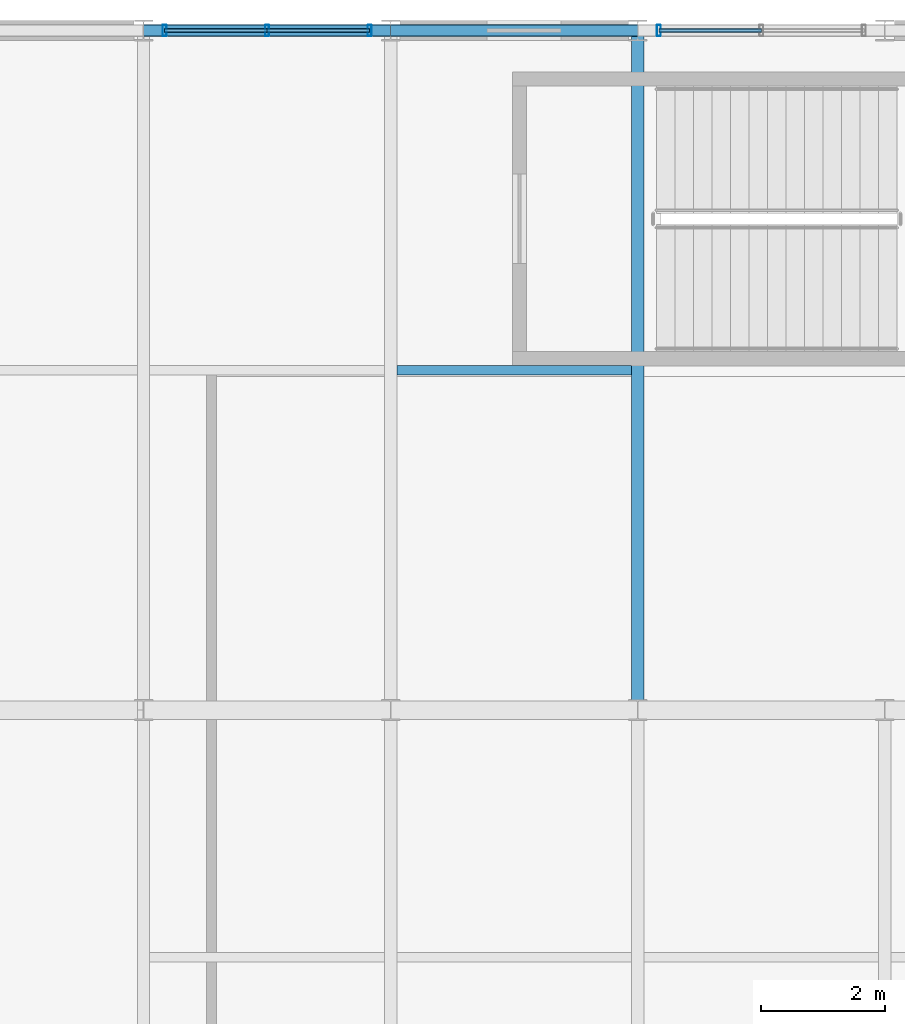
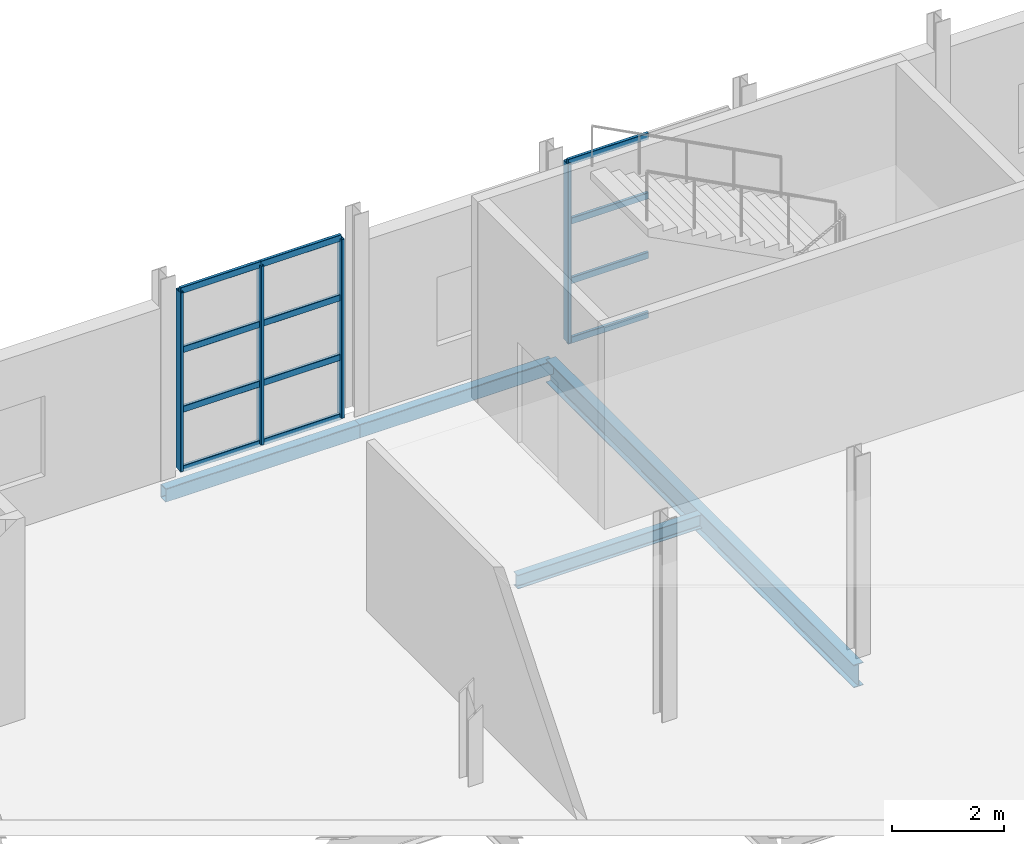
# One storey, part 101 of 153: 16 members, 4 beams, 2 elements without a shape of their own.
"""IFC4 building model written with IfcOpenShell, lengths in metres."""

from ifc_helpers import new_model, si_unit, derived_unit, direction, frame, origin, origin_2d, place, context, subcontext, project, spatial, hollow_rectangle, i_section, extrude, material, material_profile, profile_set, type_object, element, aggregate, save


model = new_model("IFC4")

# Units and contexts
model_context = context("Model", 3, precision=1e-05, world=origin(), true_north=direction((0.0, 1.0)))
body_context = subcontext(model_context, "Body", "Model", "MODEL_VIEW")
ifc_project = project(units=[si_unit("LENGTHUNIT", "METRE"), si_unit("AREAUNIT", "SQUARE_METRE"), si_unit("VOLUMEUNIT", "CUBIC_METRE"), si_unit("PLANEANGLEUNIT", "RADIAN"), si_unit("MASSUNIT", "GRAM", prefix="KILO"), derived_unit("THERMALTRANSMITTANCEUNIT", [(si_unit("POWERUNIT", "WATT"), 1), (si_unit("LENGTHUNIT", "METRE"), -2), (si_unit("THERMODYNAMICTEMPERATUREUNIT", "KELVIN"), -1)])], contexts=[model_context])

# Site, building, storey
site_placement = place(None, origin())
site = spatial("IfcSite", under=ifc_project, at=site_placement, CompositionType="ELEMENT")
building_placement = place(site_placement, origin())
building = spatial("IfcBuilding", under=site, at=building_placement, Name="Keldorne Ridge Multi-Sports Centre", CompositionType="ELEMENT")
storey_placement = place(building_placement, frame((0.0, 0.0, 9.60009765625)))
storey = spatial("IfcBuildingStorey", under=building, at=storey_placement, Name="L02", CompositionType="ELEMENT", Elevation=9.60009765625)

# Beams
ifc_material_1 = material(Name="Steel S355", Category="steel")
ifc_material_profile_1 = material_profile(ifc_material_1, i_section(OverallWidth=0.199951171875, OverallDepth=0.5, WebThickness=0.01025390625, FlangeThickness=0.01611328125, FilletRadius=0.02099609375, at=origin_2d()), Name="IPE 500")
ifc_profile_set_1 = profile_set([ifc_material_profile_1], Name="Steel S355")
beam_type_1 = type_object("IfcBeamType", Name="BM-B-02", PredefinedType="BEAM", material=ifc_profile_set_1)
beam_1_placement = place(storey_placement, frame((128.0, 106.0, -0.510009765625), z_axis=(0.0, 1.0, 0.0), x_axis=(-1.0, 0.0, 0.0)))
element("IfcBeam", 1, at=beam_1_placement, inside=storey, type_object=beam_type_1, Name="L02 primary girder 128.6", PredefinedType="BEAM", context=body_context, shape_type="SweptSolid", body=[
    extrude(i_section(OverallWidth=0.199951171875, OverallDepth=0.5, WebThickness=0.01025390625, FlangeThickness=0.01611328125, FilletRadius=0.02099609375, at=origin_2d()), origin(), (0.0, 0.0, 1.0), 11.0),
])
ifc_material_profile_2 = material_profile(ifc_material_1, i_section(OverallWidth=0.14990234375, OverallDepth=0.300048828125, WebThickness=0.007080078125, FlangeThickness=0.0107421875, FilletRadius=0.014892578125, at=origin_2d()), Name="IPE 300")
ifc_profile_set_2 = profile_set([ifc_material_profile_2], Name="Steel S355")
beam_type_2 = type_object("IfcBeamType", Name="BM-J-02", PredefinedType="JOIST", material=ifc_profile_set_2)
beam_2_placement = place(storey_placement, frame((124.10009765625, 111.5, -0.41015625), z_axis=(1.0, 0.0, 0.0), x_axis=(0.0, 1.0, 0.0)))
element("IfcBeam", 2, at=beam_2_placement, inside=storey, type_object=beam_type_2, Name="L02 secondary joist 4.6", PredefinedType="JOIST", context=body_context, shape_type="SweptSolid", body=[
    extrude(i_section(OverallWidth=0.14990234375, OverallDepth=0.300048828125, WebThickness=0.007080078125, FlangeThickness=0.0107421875, FilletRadius=0.014892578125, at=origin_2d()), origin(), (0.0, 0.0, 1.0), 3.7998046875),
])
ifc_material_profile_3 = material_profile(ifc_material_1, hollow_rectangle(XDim=0.199951171875, YDim=0.300048828125, WallThickness=0.012451171875, InnerFilletRadius=0.012451171875, OuterFilletRadius=0.02490234375, at=origin_2d()), Name="RHS 300x200x12.5")
ifc_profile_set_3 = profile_set([ifc_material_profile_3], Name="Steel S355")
beam_type_3 = type_object("IfcBeamType", Name="BM-SP-01", PredefinedType="SPANDREL", material=ifc_profile_set_3)
for number, where, z_axis, x_axis, name in (
    (3, (120.0, 117.0, -0.41015625), (1.0, 0.0, 0.0), (0.0, 1.0, 0.0), "L02 primary beam 3.117"),
    (4, (124.0, 117.0, -0.41015625), (1.0, 0.0, 0.0), (0.0, 1.0, 0.0), "L02 primary beam 4.117"),
):
    element("IfcBeam", number, at=place(storey_placement, frame(where, z_axis=z_axis, x_axis=x_axis)), inside=storey, type_object=beam_type_3, Name=name, PredefinedType="SPANDREL", context=body_context, shape_type="SweptSolid", body=[
        extrude(hollow_rectangle(XDim=0.199951171875, YDim=0.300048828125, WallThickness=0.012451171875, InnerFilletRadius=0.012451171875, OuterFilletRadius=0.02490234375, at=origin_2d()), origin(), (0.0, 0.0, 1.0), 4.0),
    ])

# Curtain wall, members
ifc_material_2 = material(Name="Anodized aluminium", Category="aluminium")
curtain_wall_type_1 = type_object("IfcCurtainWallType", Name="CW-CW-07", PredefinedType="NOTDEFINED", material=ifc_material_2)
curtain_wall_1_placement = place(storey_placement, origin())
curtain_wall_1 = element("IfcCurtainWall", 5, at=curtain_wall_1_placement, inside=storey, type_object=curtain_wall_type_1, Name="East Wing L02 north curtain wall 151", PredefinedType="NOTDEFINED")
ifc_material_profile_4 = material_profile(ifc_material_2, hollow_rectangle(XDim=0.06494140625, YDim=0.179931640625, WallThickness=0.00439453125, InnerFilletRadius=0.00439453125, OuterFilletRadius=0.009033203125, at=origin_2d()), Name="ALU MULLION 180x65x4.5")
ifc_profile_set_4 = profile_set([ifc_material_profile_4], Name="Anodized aluminium")
member_type_1 = type_object("IfcMemberType", Name="MEM-ML-01", PredefinedType="MULLION", material=ifc_profile_set_4)
member_1_placement = place(storey_placement, frame((123.659912109375, 117.0, 0.0), z_axis=(0.0, 0.0, 1.0), x_axis=(1.0, 0.0, 0.0)))
member_1 = element("IfcMember", 6, at=member_1_placement, type_object=member_type_1, Name="CW-151 vertical mullion 1", PredefinedType="MULLION", context=body_context, shape_type="SweptSolid", body=[
    extrude(hollow_rectangle(XDim=0.06494140625, YDim=0.179931640625, WallThickness=0.00439453125, InnerFilletRadius=0.00439453125, OuterFilletRadius=0.009033203125, at=origin_2d()), origin(), (0.0, 0.0, 1.0), 3.89990234375),
])
member_2_placement = place(storey_placement, frame((122.0, 117.0, 0.0), z_axis=(0.0, 0.0, 1.0), x_axis=(1.0, 0.0, 0.0)))
member_2 = element("IfcMember", 7, at=member_2_placement, type_object=member_type_1, Name="CW-151 vertical mullion 2", PredefinedType="MULLION", context=body_context, shape_type="SweptSolid", body=[
    extrude(hollow_rectangle(XDim=0.06494140625, YDim=0.179931640625, WallThickness=0.00439453125, InnerFilletRadius=0.00439453125, OuterFilletRadius=0.009033203125, at=origin_2d()), origin(), (0.0, 0.0, 1.0), 3.89990234375),
])
member_3_placement = place(storey_placement, frame((120.340087890625, 117.0, 0.0), z_axis=(0.0, 0.0, 1.0), x_axis=(1.0, 0.0, 0.0)))
member_3 = element("IfcMember", 8, at=member_3_placement, type_object=member_type_1, Name="CW-151 vertical mullion 3", PredefinedType="MULLION", context=body_context, shape_type="SweptSolid", body=[
    extrude(hollow_rectangle(XDim=0.06494140625, YDim=0.179931640625, WallThickness=0.00439453125, InnerFilletRadius=0.00439453125, OuterFilletRadius=0.009033203125, at=origin_2d()), origin(), (0.0, 0.0, 1.0), 3.89990234375),
])

# Curtain wall, member
curtain_wall_type_2 = type_object("IfcCurtainWallType", Name="CW-CW-08", PredefinedType="NOTDEFINED", material=ifc_material_2)
curtain_wall_2_placement = place(storey_placement, origin())
curtain_wall_2 = element("IfcCurtainWall", 9, at=curtain_wall_2_placement, inside=storey, type_object=curtain_wall_type_2, Name="East Wing L02 north curtain wall 152", PredefinedType="NOTDEFINED")
member_4_placement = place(storey_placement, frame((128.340087890625, 117.0, 0.0), z_axis=(0.0, 0.0, 1.0), x_axis=(1.0, 0.0, 0.0)))
member_4 = element("IfcMember", 10, at=member_4_placement, type_object=member_type_1, Name="CW-152 vertical mullion 3", PredefinedType="MULLION", context=body_context, shape_type="SweptSolid", body=[
    extrude(hollow_rectangle(XDim=0.06494140625, YDim=0.179931640625, WallThickness=0.00439453125, InnerFilletRadius=0.00439453125, OuterFilletRadius=0.009033203125, at=origin_2d()), origin(), (0.0, 0.0, 1.0), 3.89990234375),
])

# Member
ifc_material_profile_5 = material_profile(ifc_material_2, hollow_rectangle(XDim=0.06494140625, YDim=0.139892578125, WallThickness=0.00439453125, InnerFilletRadius=0.00439453125, OuterFilletRadius=0.009033203125, at=origin_2d()), Name="ALU TRANSOM 140x65x4.5")
ifc_profile_set_5 = profile_set([ifc_material_profile_5], Name="Anodized aluminium")
member_type_2 = type_object("IfcMemberType", Name="MEM-TR-01", PredefinedType="USERDEFINED", material=ifc_profile_set_5)
member_5_placement = place(storey_placement, frame((123.659912109375, 117.0, 0.0), z_axis=(-1.0, 0.0, 0.0), x_axis=(0.0, -1.0, 0.0)))
member_5 = element("IfcMember", 11, at=member_5_placement, type_object=member_type_2, Name="CW-151 transom 1.1", ObjectType="TRANSOM", PredefinedType="USERDEFINED", context=body_context, shape_type="SweptSolid", body=[
    extrude(hollow_rectangle(XDim=0.06494140625, YDim=0.139892578125, WallThickness=0.00439453125, InnerFilletRadius=0.00439453125, OuterFilletRadius=0.009033203125, at=origin_2d()), origin(), (0.0, 0.0, 1.0), 1.659912109375),
])

member_6_placement = place(storey_placement, frame((123.659912109375, 117.0, 1.2998046875), z_axis=(-1.0, 0.0, 0.0), x_axis=(0.0, -1.0, 0.0)))
member_6 = element("IfcMember", 12, at=member_6_placement, type_object=member_type_2, Name="CW-151 transom 1.2", ObjectType="TRANSOM", PredefinedType="USERDEFINED", context=body_context, shape_type="SweptSolid", body=[
    extrude(hollow_rectangle(XDim=0.06494140625, YDim=0.139892578125, WallThickness=0.00439453125, InnerFilletRadius=0.00439453125, OuterFilletRadius=0.009033203125, at=origin_2d()), origin(), (0.0, 0.0, 1.0), 1.659912109375),
])

member_7_placement = place(storey_placement, frame((123.659912109375, 117.0, 2.599853515625), z_axis=(-1.0, 0.0, 0.0), x_axis=(0.0, -1.0, 0.0)))
member_7 = element("IfcMember", 13, at=member_7_placement, type_object=member_type_2, Name="CW-151 transom 1.3", ObjectType="TRANSOM", PredefinedType="USERDEFINED", context=body_context, shape_type="SweptSolid", body=[
    extrude(hollow_rectangle(XDim=0.06494140625, YDim=0.139892578125, WallThickness=0.00439453125, InnerFilletRadius=0.00439453125, OuterFilletRadius=0.009033203125, at=origin_2d()), origin(), (0.0, 0.0, 1.0), 1.659912109375),
])

member_8_placement = place(storey_placement, frame((123.659912109375, 117.0, 3.89990234375), z_axis=(-1.0, 0.0, 0.0), x_axis=(0.0, -1.0, 0.0)))
member_8 = element("IfcMember", 14, at=member_8_placement, type_object=member_type_2, Name="CW-151 transom 1.4", ObjectType="TRANSOM", PredefinedType="USERDEFINED", context=body_context, shape_type="SweptSolid", body=[
    extrude(hollow_rectangle(XDim=0.06494140625, YDim=0.139892578125, WallThickness=0.00439453125, InnerFilletRadius=0.00439453125, OuterFilletRadius=0.009033203125, at=origin_2d()), origin(), (0.0, 0.0, 1.0), 1.659912109375),
])

member_9_placement = place(storey_placement, frame((122.0, 117.0, 0.0), z_axis=(-1.0, 0.0, 0.0), x_axis=(0.0, -1.0, 0.0)))
member_9 = element("IfcMember", 15, at=member_9_placement, type_object=member_type_2, Name="CW-151 transom 2.1", ObjectType="TRANSOM", PredefinedType="USERDEFINED", context=body_context, shape_type="SweptSolid", body=[
    extrude(hollow_rectangle(XDim=0.06494140625, YDim=0.139892578125, WallThickness=0.00439453125, InnerFilletRadius=0.00439453125, OuterFilletRadius=0.009033203125, at=origin_2d()), origin(), (0.0, 0.0, 1.0), 1.659912109375),
])

member_10_placement = place(storey_placement, frame((122.0, 117.0, 1.2998046875), z_axis=(-1.0, 0.0, 0.0), x_axis=(0.0, -1.0, 0.0)))
member_10 = element("IfcMember", 16, at=member_10_placement, type_object=member_type_2, Name="CW-151 transom 2.2", ObjectType="TRANSOM", PredefinedType="USERDEFINED", context=body_context, shape_type="SweptSolid", body=[
    extrude(hollow_rectangle(XDim=0.06494140625, YDim=0.139892578125, WallThickness=0.00439453125, InnerFilletRadius=0.00439453125, OuterFilletRadius=0.009033203125, at=origin_2d()), origin(), (0.0, 0.0, 1.0), 1.659912109375),
])

member_11_placement = place(storey_placement, frame((122.0, 117.0, 2.599853515625), z_axis=(-1.0, 0.0, 0.0), x_axis=(0.0, -1.0, 0.0)))
member_11 = element("IfcMember", 17, at=member_11_placement, type_object=member_type_2, Name="CW-151 transom 2.3", ObjectType="TRANSOM", PredefinedType="USERDEFINED", context=body_context, shape_type="SweptSolid", body=[
    extrude(hollow_rectangle(XDim=0.06494140625, YDim=0.139892578125, WallThickness=0.00439453125, InnerFilletRadius=0.00439453125, OuterFilletRadius=0.009033203125, at=origin_2d()), origin(), (0.0, 0.0, 1.0), 1.659912109375),
])

member_12_placement = place(storey_placement, frame((122.0, 117.0, 3.89990234375), z_axis=(-1.0, 0.0, 0.0), x_axis=(0.0, -1.0, 0.0)))
member_12 = element("IfcMember", 18, at=member_12_placement, type_object=member_type_2, Name="CW-151 transom 2.4", ObjectType="TRANSOM", PredefinedType="USERDEFINED", context=body_context, shape_type="SweptSolid", body=[
    extrude(hollow_rectangle(XDim=0.06494140625, YDim=0.139892578125, WallThickness=0.00439453125, InnerFilletRadius=0.00439453125, OuterFilletRadius=0.009033203125, at=origin_2d()), origin(), (0.0, 0.0, 1.0), 1.659912109375),
])

aggregate(curtain_wall_1, [member_1, member_2, member_3, member_5, member_6, member_7, member_8, member_9, member_10, member_11, member_12])

member_13_placement = place(storey_placement, frame((130.0, 117.0, 0.0), z_axis=(-1.0, 0.0, 0.0), x_axis=(0.0, -1.0, 0.0)))
member_13 = element("IfcMember", 19, at=member_13_placement, type_object=member_type_2, Name="CW-152 transom 2.1", ObjectType="TRANSOM", PredefinedType="USERDEFINED", context=body_context, shape_type="SweptSolid", body=[
    extrude(hollow_rectangle(XDim=0.06494140625, YDim=0.139892578125, WallThickness=0.00439453125, InnerFilletRadius=0.00439453125, OuterFilletRadius=0.009033203125, at=origin_2d()), origin(), (0.0, 0.0, 1.0), 1.659912109375),
])

member_14_placement = place(storey_placement, frame((130.0, 117.0, 1.2998046875), z_axis=(-1.0, 0.0, 0.0), x_axis=(0.0, -1.0, 0.0)))
member_14 = element("IfcMember", 20, at=member_14_placement, type_object=member_type_2, Name="CW-152 transom 2.2", ObjectType="TRANSOM", PredefinedType="USERDEFINED", context=body_context, shape_type="SweptSolid", body=[
    extrude(hollow_rectangle(XDim=0.06494140625, YDim=0.139892578125, WallThickness=0.00439453125, InnerFilletRadius=0.00439453125, OuterFilletRadius=0.009033203125, at=origin_2d()), origin(), (0.0, 0.0, 1.0), 1.659912109375),
])

member_15_placement = place(storey_placement, frame((130.0, 117.0, 2.599853515625), z_axis=(-1.0, 0.0, 0.0), x_axis=(0.0, -1.0, 0.0)))
member_15 = element("IfcMember", 21, at=member_15_placement, type_object=member_type_2, Name="CW-152 transom 2.3", ObjectType="TRANSOM", PredefinedType="USERDEFINED", context=body_context, shape_type="SweptSolid", body=[
    extrude(hollow_rectangle(XDim=0.06494140625, YDim=0.139892578125, WallThickness=0.00439453125, InnerFilletRadius=0.00439453125, OuterFilletRadius=0.009033203125, at=origin_2d()), origin(), (0.0, 0.0, 1.0), 1.659912109375),
])

member_16_placement = place(storey_placement, frame((130.0, 117.0, 3.89990234375), z_axis=(-1.0, 0.0, 0.0), x_axis=(0.0, -1.0, 0.0)))
member_16 = element("IfcMember", 22, at=member_16_placement, type_object=member_type_2, Name="CW-152 transom 2.4", ObjectType="TRANSOM", PredefinedType="USERDEFINED", context=body_context, shape_type="SweptSolid", body=[
    extrude(hollow_rectangle(XDim=0.06494140625, YDim=0.139892578125, WallThickness=0.00439453125, InnerFilletRadius=0.00439453125, OuterFilletRadius=0.009033203125, at=origin_2d()), origin(), (0.0, 0.0, 1.0), 1.659912109375),
])

aggregate(curtain_wall_2, [member_4, member_13, member_14, member_15, member_16])

save(model, "model.ifc")
